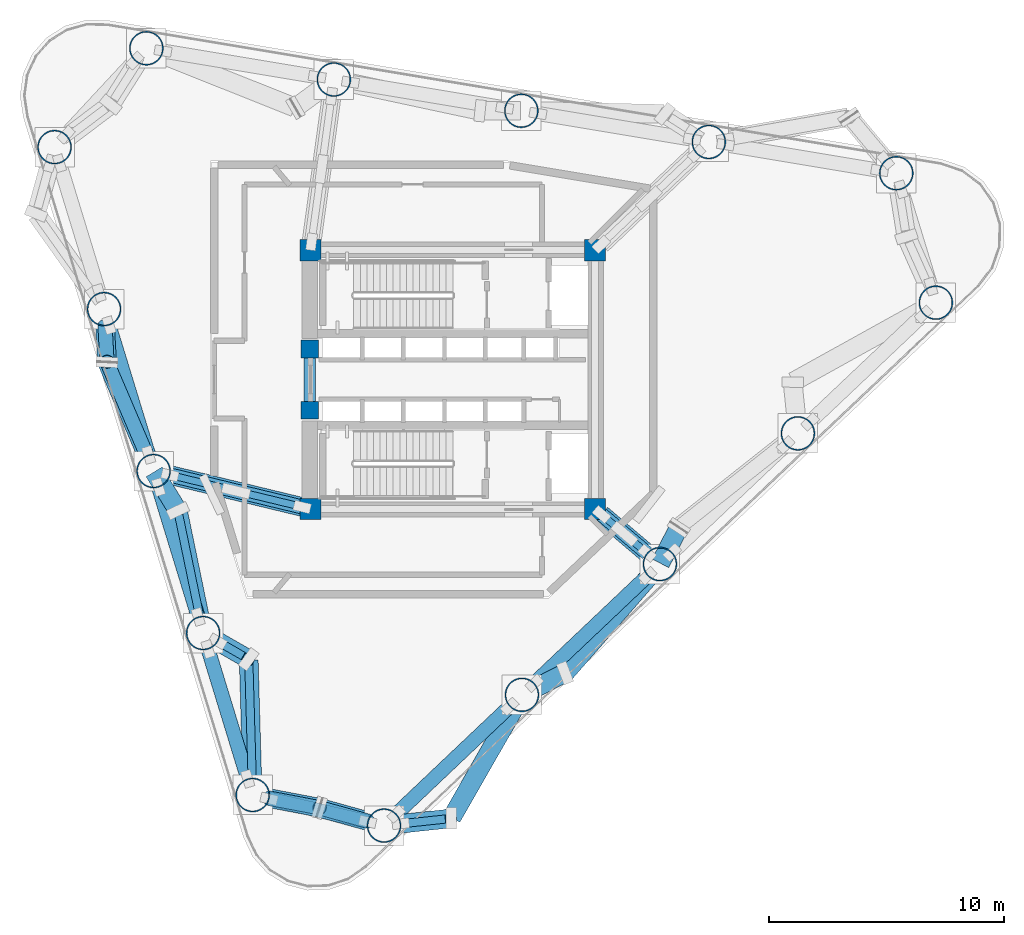
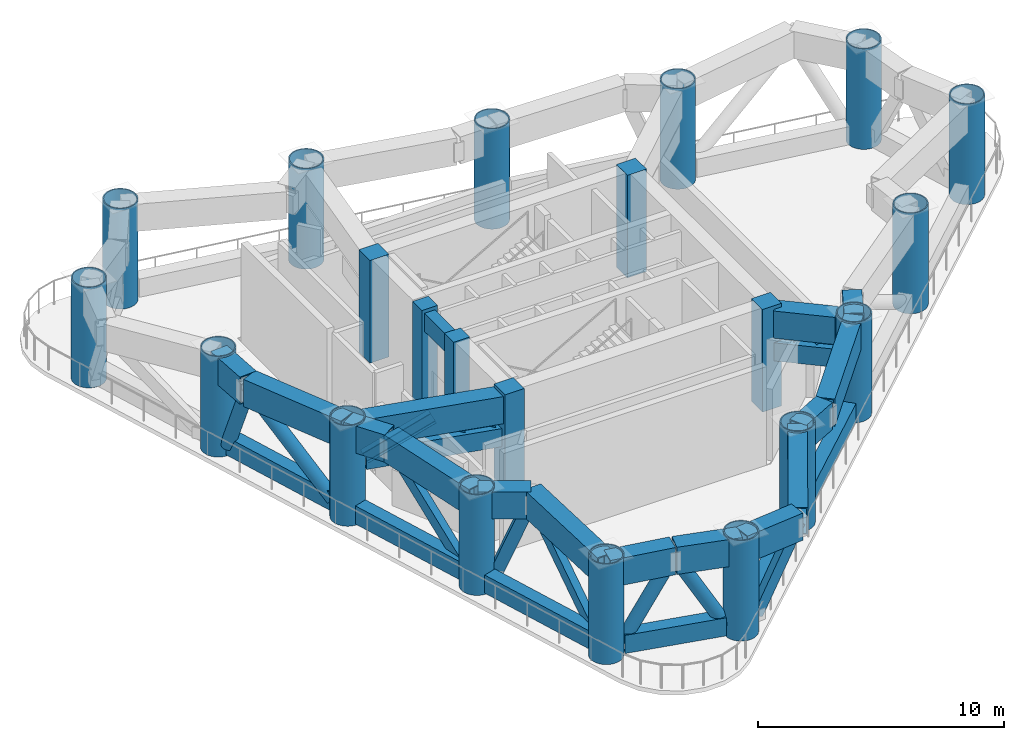
# One storey, part 1 of 8: 21 columns, 20 members, 16 beams.
"""IFC4 building model written with IfcOpenShell, lengths in metres."""

from ifc_helpers import new_model, si_unit, direction, frame, origin, origin_2d, place, context, subcontext, project, spatial, rectangle, hollow_rectangle, hollow_circle, i_section, extrude, source, transform, mapped, material, material_profile, profile_set, type_object, element, save


model = new_model("IFC4")

# Units and contexts
model_context = context("Model", 3, precision=1e-05, world=origin(), true_north=direction((0.0, 1.0)))
body_context = subcontext(model_context, "Body", "Model", "MODEL_VIEW")
ifc_project = project(units=[si_unit("LENGTHUNIT", "METRE"), si_unit("AREAUNIT", "SQUARE_METRE"), si_unit("VOLUMEUNIT", "CUBIC_METRE"), si_unit("PLANEANGLEUNIT", "RADIAN"), si_unit("MASSUNIT", "GRAM", prefix="KILO")], contexts=[model_context])

# Site, building, storey
site_placement = place(None, origin())
site = spatial("IfcSite", under=ifc_project, at=site_placement, CompositionType="ELEMENT")
building_placement = place(site_placement, origin())
building = spatial("IfcBuilding", under=site, at=building_placement, Name="Yunling Apex Tower", CompositionType="ELEMENT")
storey_placement = place(building_placement, frame((0.0, 0.0, 119.89990234375)))
storey = spatial("IfcBuildingStorey", under=building, at=storey_placement, Name="RF3", CompositionType="ELEMENT", Elevation=119.89990234375)

# Columns
ifc_material_1 = material(Name="Concrete C60", Category="concrete")
ifc_material_profile_1 = material_profile(ifc_material_1, rectangle(XDim=0.89990234375, YDim=0.89990234375, at=origin_2d()))
ifc_profile_set_1 = profile_set([ifc_material_profile_1], Name="Concrete C60")
column_type_1 = type_object("IfcColumnType", Name="PC-SRC-3", PredefinedType="COLUMN", material=ifc_profile_set_1)
shared_shape_1 = source(origin(), body_context, "Body", "SweptSolid", [
    extrude(rectangle(XDim=0.89990234375, YDim=0.89990234375, at=origin_2d()), origin(), (0.0, 0.0, 1.0), 5.10009765625),
])
for number, where, z_axis, x_axis, name in (
    (1, (-6.050048828125, -5.5, 0.0), (0.0, 0.0, 1.0), (1.0, 0.0, 0.0), "RF3 Core Spine Column CC-SW"),
    (2, (6.050048828125, -5.5, 0.0), (0.0, 0.0, 1.0), (1.0, 0.0, 0.0), "RF3 Core Spine Column CC-SE"),
    (3, (6.050048828125, 5.5, 0.0), (0.0, 0.0, 1.0), (1.0, 0.0, 0.0), "RF3 Core Spine Column CC-NE"),
    (4, (-6.050048828125, 5.5, 0.0), (0.0, 0.0, 1.0), (1.0, 0.0, 0.0), "RF3 Core Spine Column CC-NW"),
):
    element("IfcColumn", number, at=place(storey_placement, frame(where, z_axis=z_axis, x_axis=x_axis)), inside=storey, type_object=column_type_1, Name=name, PredefinedType="COLUMN", context=body_context, shape_type="MappedRepresentation", body=[
        mapped(shared_shape_1, transform((0.0, 0.0, 0.0), scale=1.0)),
    ])
ifc_material_2 = material(Name="Concrete C50", Category="concrete")
ifc_material_profile_2 = material_profile(ifc_material_2, rectangle(XDim=0.75, YDim=0.75, at=origin_2d()))
ifc_profile_set_2 = profile_set([ifc_material_profile_2], Name="Concrete C50")
column_type_2 = type_object("IfcColumnType", Name="PC-SRC-4", PredefinedType="COLUMN", material=ifc_profile_set_2)
shared_shape_2 = source(origin(), body_context, "Body", "SweptSolid", [
    extrude(rectangle(XDim=0.75, YDim=0.75, at=origin_2d()), origin(), (0.0, 0.0, 1.0), 5.10009765625),
])
for number, where, z_axis, x_axis, name in (
    (5, (-6.074951171875, -1.300048828125, 0.0), (0.0, 0.0, 1.0), (1.0, 0.0, 0.0), "RF3 Core West Portal Jamb Column S"),
    (6, (-6.074951171875, 1.300048828125, 0.0), (0.0, 0.0, 1.0), (1.0, 0.0, 0.0), "RF3 Core West Portal Jamb Column N"),
):
    element("IfcColumn", number, at=place(storey_placement, frame(where, z_axis=z_axis, x_axis=x_axis)), inside=storey, type_object=column_type_2, Name=name, PredefinedType="COLUMN", context=body_context, shape_type="MappedRepresentation", body=[
        mapped(shared_shape_2, transform((0.0, 0.0, 0.0), scale=1.0)),
    ])
ifc_material_3 = material(Name="Steel Q390GJC", Category="steel")
ifc_material_profile_3 = material_profile(ifc_material_3, hollow_circle(Radius=0.72509765625, WallThickness=0.050048828125, at=origin_2d()))
ifc_profile_set_3 = profile_set([ifc_material_profile_3], Name="Steel Q390GJC")
column_type_3 = type_object("IfcColumnType", Name="MC-CFST-2", PredefinedType="COLUMN", material=ifc_profile_set_3)
shared_shape_3 = source(origin(), body_context, "Body", "SweptSolid", [
    extrude(hollow_circle(Radius=0.72509765625, WallThickness=0.050048828125, at=origin_2d()), origin(), (0.0, 0.0, 1.0), 5.0),
])
for number, where, z_axis, x_axis, name in (
    (7, (-2.92138671875, -18.960205078125, 0.0), (0.0, 0.0, 1.0), (1.0, 0.0, 0.0), "RF3 Lower-Block CFST Column P01"),
    (8, (2.943359375, -13.40234375, 0.0), (0.0, 0.0, 1.0), (1.0, 0.0, 0.0), "RF3 Lower-Block CFST Column P02"),
    (9, (8.80810546875, -7.8447265625, 0.0), (0.0, 0.0, 1.0), (1.0, 0.0, 0.0), "RF3 Lower-Block CFST Column P03"),
    (10, (14.6728515625, -2.287109375, 0.0), (0.0, 0.0, 1.0), (1.0, 0.0, 0.0), "RF3 Lower-Block CFST Column P04"),
    (11, (20.53759765625, 3.2705078125, 0.0), (0.0, 0.0, 1.0), (1.0, 0.0, 0.0), "RF3 Lower-Block CFST Column P05"),
    (12, (18.855224609375, 8.77294921875, 0.0), (0.0, 0.0, 1.0), (1.0, 0.0, 0.0), "RF3 Lower-Block CFST Column P06"),
    (13, (10.88525390625, 10.10107421875, 0.0), (0.0, 0.0, 1.0), (1.0, 0.0, 0.0), "RF3 Lower-Block CFST Column P07"),
    (14, (2.915283203125, 11.428955078125, 0.0), (0.0, 0.0, 1.0), (1.0, 0.0, 0.0), "RF3 Lower-Block CFST Column P08"),
    (15, (-5.054443359375, 12.757080078125, 0.0), (0.0, 0.0, 1.0), (1.0, 0.0, 0.0), "RF3 Lower-Block CFST Column P09"),
    (16, (-13.0244140625, 14.0849609375, 0.0), (0.0, 0.0, 1.0), (1.0, 0.0, 0.0), "RF3 Lower-Block CFST Column P10"),
    (17, (-16.927490234375, 9.88330078125, 0.0), (0.0, 0.0, 1.0), (1.0, 0.0, 0.0), "RF3 Lower-Block CFST Column P11"),
    (18, (-14.822509765625, 2.99755859375, 0.0), (0.0, 0.0, 1.0), (1.0, 0.0, 0.0), "RF3 Lower-Block CFST Column P12"),
    (19, (-12.71728515625, -3.887939453125, 0.0), (0.0, 0.0, 1.0), (1.0, 0.0, 0.0), "RF3 Lower-Block CFST Column P13"),
    (20, (-10.612060546875, -10.773681640625, 0.0), (0.0, 0.0, 1.0), (1.0, 0.0, 0.0), "RF3 Lower-Block CFST Column P14"),
    (21, (-8.5068359375, -17.6591796875, 0.0), (0.0, 0.0, 1.0), (1.0, 0.0, 0.0), "RF3 Lower-Block CFST Column P15"),
):
    element("IfcColumn", number, at=place(storey_placement, frame(where, z_axis=z_axis, x_axis=x_axis)), inside=storey, type_object=column_type_3, Name=name, PredefinedType="COLUMN", context=body_context, shape_type="MappedRepresentation", body=[
        mapped(shared_shape_3, transform((0.0, 0.0, 0.0), scale=1.0)),
    ])

# Beam
ifc_material_profile_4 = material_profile(ifc_material_2, rectangle(XDim=0.5, YDim=0.89990234375, at=origin_2d()))
ifc_profile_set_4 = profile_set([ifc_material_profile_4], Name="Concrete C50")
beam_type_1 = type_object("IfcBeamType", Name="BC-CPL-2", PredefinedType="BEAM", material=ifc_profile_set_4)
shared_shape_4 = source(origin(), body_context, "Body", "SweptSolid", [
    extrude(rectangle(XDim=0.5, YDim=0.89990234375, at=origin_2d()), origin(), (0.0, 0.0, 1.0), 2.5),
])
beam_1_placement = place(storey_placement, frame((-6.074951171875, -1.25, 4.47021484375), z_axis=(0.0, 1.0, 0.0), x_axis=(-1.0, 0.0, 0.0)))
element("IfcBeam", 22, at=beam_1_placement, inside=storey, type_object=beam_type_1, Name="RF3 Core West Portal Coupling Beam", PredefinedType="BEAM", context=body_context, shape_type="MappedRepresentation", body=[
    mapped(shared_shape_4, transform((0.0, 0.0, 0.0), scale=1.0)),
])

# Members
ifc_material_profile_5 = material_profile(ifc_material_3, hollow_rectangle(XDim=0.60009765625, YDim=0.89990234375, WallThickness=0.0419921875, at=origin_2d()))
ifc_profile_set_5 = profile_set([ifc_material_profile_5], Name="Steel Q390GJC")
member_type_1 = type_object("IfcMemberType", Name="BT-CHD-1", PredefinedType="CHORD", material=ifc_profile_set_5)
shared_shape_5 = source(origin(), body_context, "Body", "SweptSolid", [
    extrude(hollow_rectangle(XDim=0.60009765625, YDim=0.89990234375, WallThickness=0.0419921875, at=origin_2d()), origin(), (0.0, 0.0, 1.0), 6.645751953125),
])
for number, where, z_axis, x_axis, name in (
    (23, (-2.40087890625, -18.466796875, 0.550048828125), (0.725844556289, 0.68785876465, 0.0), (-0.68785876465, 0.725844556289, 0.0), "RF3 Belt-Truss Bottom Chord 1"),
    (24, (3.463623046875, -12.9091796875, 0.550048828125), (0.725861937572, 0.687840423052, 0.0), (-0.687840423052, 0.725861937572, 0.0), "RF3 Belt-Truss Bottom Chord 2"),
):
    element("IfcMember", number, at=place(storey_placement, frame(where, z_axis=z_axis, x_axis=x_axis)), inside=storey, type_object=member_type_1, Name=name, PredefinedType="CHORD", context=body_context, shape_type="MappedRepresentation", body=[
        mapped(shared_shape_5, transform((0.0, 0.0, 0.0), scale=1.0)),
    ])
shared_shape_6 = source(origin(), body_context, "Body", "SweptSolid", [
    extrude(hollow_rectangle(XDim=0.60009765625, YDim=0.89990234375, WallThickness=0.0419921875, at=origin_2d()), origin(), (0.0, 0.0, 1.0), 4.301025390625),
])
member_1_placement = place(storey_placement, frame((-7.80859375, -17.822021484375, 0.550048828125), z_axis=(0.973935749872, -0.22682406204, 0.0), x_axis=(0.22682406204, 0.973935749872, 0.0)))
element("IfcMember", 25, at=member_1_placement, inside=storey, type_object=member_type_1, Name="RF3 Belt-Truss Bottom Chord 15", PredefinedType="CHORD", context=body_context, shape_type="MappedRepresentation", body=[
    mapped(shared_shape_6, transform((0.0, 0.0, 0.0), scale=1.0)),
])
shared_shape_7 = source(origin(), body_context, "Body", "SweptSolid", [
    extrude(hollow_rectangle(XDim=0.60009765625, YDim=0.89990234375, WallThickness=0.0419921875, at=origin_2d()), origin(), (0.0, 0.0, 1.0), 5.76611328125),
])
for number, where, z_axis, x_axis, name in (
    (26, (-12.5078125, -4.57373046875, 0.550048828125), (0.292401396878, -0.956295677656, 0.0), (0.956295677656, 0.292401396878, 0.0), "RF3 Belt-Truss Bottom Chord 13"),
    (27, (-10.402587890625, -11.45947265625, 0.550048828125), (0.292401396878, -0.956295677656, 0.0), (0.956295677656, 0.292401396878, 0.0), "RF3 Belt-Truss Bottom Chord 14"),
):
    element("IfcMember", number, at=place(storey_placement, frame(where, z_axis=z_axis, x_axis=x_axis)), inside=storey, type_object=member_type_1, Name=name, PredefinedType="CHORD", context=body_context, shape_type="MappedRepresentation", body=[
        mapped(shared_shape_7, transform((0.0, 0.0, 0.0), scale=1.0)),
    ])
shared_shape_8 = source(origin(), body_context, "Body", "SweptSolid", [
    extrude(hollow_rectangle(XDim=0.60009765625, YDim=0.89990234375, WallThickness=0.0419921875, at=origin_2d()), origin(), (0.0, 0.0, 1.0), 5.766357421875),
])
member_2_placement = place(storey_placement, frame((-14.61279296875, 2.31201171875, 0.550048828125), z_axis=(0.292350838462, -0.95631113517, 0.0), x_axis=(0.95631113517, 0.292350838462, 0.0)))
element("IfcMember", 28, at=member_2_placement, inside=storey, type_object=member_type_1, Name="RF3 Belt-Truss Bottom Chord 12", PredefinedType="CHORD", context=body_context, shape_type="MappedRepresentation", body=[
    mapped(shared_shape_8, transform((0.0, 0.0, 0.0), scale=1.0)),
])

# Beams
ifc_material_profile_6 = material_profile(ifc_material_3, hollow_rectangle(XDim=0.800048828125, YDim=1.35009765625, WallThickness=0.050048828125, at=origin_2d()))
ifc_profile_set_6 = profile_set([ifc_material_profile_6], Name="Steel Q390GJC")
beam_type_2 = type_object("IfcBeamType", Name="BTRNG-1", PredefinedType="USERDEFINED", material=ifc_profile_set_6)
shared_shape_9 = source(origin(), body_context, "Body", "SweptSolid", [
    extrude(hollow_rectangle(XDim=0.800048828125, YDim=1.35009765625, WallThickness=0.050048828125, at=origin_2d()), origin(), (0.0, 0.0, 1.0), 1.896484375),
])
beam_2_placement = place(storey_placement, frame((-12.6962890625, -3.922119140625, 4.2451171875), z_axis=(0.522142394096, -0.85285832369, 0.0), x_axis=(0.85285832369, 0.522142394096, 0.0)))
element("IfcBeam", 29, at=beam_2_placement, inside=storey, type_object=beam_type_2, Name="RF3 Panel-Split Box Ring Transfer Girder 1", ObjectType="GIRDER", PredefinedType="USERDEFINED", context=body_context, shape_type="MappedRepresentation", body=[
    mapped(shared_shape_9, transform((0.0, 0.0, 0.0), scale=1.0)),
])
shared_shape_10 = source(origin(), body_context, "Body", "SweptSolid", [
    extrude(hollow_rectangle(XDim=0.800048828125, YDim=1.35009765625, WallThickness=0.050048828125, at=origin_2d()), origin(), (0.0, 0.0, 1.0), 5.229736328125),
])
beam_3_placement = place(storey_placement, frame((-11.677001953125, -5.61279296875, 4.2451171875), z_axis=(0.202091528728, -0.97936663922, 0.0), x_axis=(0.97936663922, 0.202091528728, 0.0)))
element("IfcBeam", 30, at=beam_3_placement, inside=storey, type_object=beam_type_2, Name="RF3 Panel-Split Box Ring Transfer Girder 2", ObjectType="GIRDER", PredefinedType="USERDEFINED", context=body_context, shape_type="MappedRepresentation", body=[
    mapped(shared_shape_10, transform((0.0, 0.0, 0.0), scale=1.0)),
])
shared_shape_11 = source(origin(), body_context, "Body", "SweptSolid", [
    extrude(hollow_rectangle(XDim=0.800048828125, YDim=1.35009765625, WallThickness=0.050048828125, at=origin_2d()), origin(), (0.0, 0.0, 1.0), 2.15576171875),
])
beam_4_placement = place(storey_placement, frame((-10.577392578125, -10.793701171875, 4.2451171875), z_axis=(0.867013943985, -0.498283875853, 0.0), x_axis=(0.498283875853, 0.867013943985, 0.0)))
element("IfcBeam", 31, at=beam_4_placement, inside=storey, type_object=beam_type_2, Name="RF3 Panel-Split Box Ring Transfer Girder 3", ObjectType="GIRDER", PredefinedType="USERDEFINED", context=body_context, shape_type="MappedRepresentation", body=[
    mapped(shared_shape_11, transform((0.0, 0.0, 0.0), scale=1.0)),
])
shared_shape_12 = source(origin(), body_context, "Body", "SweptSolid", [
    extrude(hollow_rectangle(XDim=0.800048828125, YDim=1.35009765625, WallThickness=0.050048828125, at=origin_2d()), origin(), (0.0, 0.0, 1.0), 5.694091796875),
])
beam_5_placement = place(storey_placement, frame((-8.67236328125, -11.927734375, 4.2451171875), z_axis=(0.028855992312, -0.999583579151, 0.0), x_axis=(0.999583579151, 0.028855992312, 0.0)))
element("IfcBeam", 32, at=beam_5_placement, inside=storey, type_object=beam_type_2, Name="RF3 Panel-Split Box Ring Transfer Girder 4", ObjectType="GIRDER", PredefinedType="USERDEFINED", context=body_context, shape_type="MappedRepresentation", body=[
    mapped(shared_shape_12, transform((0.0, 0.0, 0.0), scale=1.0)),
])
shared_shape_13 = source(origin(), body_context, "Body", "SweptSolid", [
    extrude(hollow_rectangle(XDim=0.800048828125, YDim=1.35009765625, WallThickness=0.050048828125, at=origin_2d()), origin(), (0.0, 0.0, 1.0), 2.816162109375),
])
beam_6_placement = place(storey_placement, frame((-8.467529296875, -17.666748046875, 4.2451171875), z_axis=(0.982295289546, -0.187339168715, 0.0), x_axis=(0.187339168715, 0.982295289546, 0.0)))
element("IfcBeam", 33, at=beam_6_placement, inside=storey, type_object=beam_type_2, Name="RF3 Panel-Split Box Ring Transfer Girder 5", ObjectType="GIRDER", PredefinedType="USERDEFINED", context=body_context, shape_type="MappedRepresentation", body=[
    mapped(shared_shape_13, transform((0.0, 0.0, 0.0), scale=1.0)),
])
shared_shape_14 = source(origin(), body_context, "Body", "SweptSolid", [
    extrude(hollow_rectangle(XDim=0.800048828125, YDim=1.35009765625, WallThickness=0.050048828125, at=origin_2d()), origin(), (0.0, 0.0, 1.0), 2.763427734375),
])
beam_7_placement = place(storey_placement, frame((-5.623291015625, -18.212646484375, 4.2451171875), z_axis=(0.963797112406, -0.26663669312, 0.0), x_axis=(0.26663669312, 0.963797112406, 0.0)))
element("IfcBeam", 34, at=beam_7_placement, inside=storey, type_object=beam_type_2, Name="RF3 Panel-Split Box Ring Transfer Girder 6", ObjectType="GIRDER", PredefinedType="USERDEFINED", context=body_context, shape_type="MappedRepresentation", body=[
    mapped(shared_shape_14, transform((0.0, 0.0, 0.0), scale=1.0)),
])
shared_shape_15 = source(origin(), body_context, "Body", "SweptSolid", [
    extrude(hollow_rectangle(XDim=0.800048828125, YDim=1.35009765625, WallThickness=0.050048828125, at=origin_2d()), origin(), (0.0, 0.0, 1.0), 2.793701171875),
])
beam_8_placement = place(storey_placement, frame((-2.881591796875, -18.955810546875, 4.2451171875), z_axis=(0.994328313015, 0.106354153361, 0.0), x_axis=(-0.106354153361, 0.994328313015, 0.0)))
element("IfcBeam", 35, at=beam_8_placement, inside=storey, type_object=beam_type_2, Name="RF3 Panel-Split Box Ring Transfer Girder 7", ObjectType="GIRDER", PredefinedType="USERDEFINED", context=body_context, shape_type="MappedRepresentation", body=[
    mapped(shared_shape_15, transform((0.0, 0.0, 0.0), scale=1.0)),
])
shared_shape_16 = source(origin(), body_context, "Body", "SweptSolid", [
    extrude(hollow_rectangle(XDim=0.800048828125, YDim=1.35009765625, WallThickness=0.050048828125, at=origin_2d()), origin(), (0.0, 0.0, 1.0), 5.972412109375),
])
beam_9_placement = place(storey_placement, frame((-0.044189453125, -18.619873046875, 4.2451171875), z_axis=(0.49688275177, 0.867817683038, 0.0), x_axis=(-0.867817683038, 0.49688275177, 0.0)))
element("IfcBeam", 36, at=beam_9_placement, inside=storey, type_object=beam_type_2, Name="RF3 Panel-Split Box Ring Transfer Girder 8", ObjectType="GIRDER", PredefinedType="USERDEFINED", context=body_context, shape_type="MappedRepresentation", body=[
    mapped(shared_shape_16, transform((0.0, 0.0, 0.0), scale=1.0)),
])
shared_shape_17 = source(origin(), body_context, "Body", "SweptSolid", [
    extrude(hollow_rectangle(XDim=0.800048828125, YDim=1.35009765625, WallThickness=0.050048828125, at=origin_2d()), origin(), (0.0, 0.0, 1.0), 1.972900390625),
])
beam_10_placement = place(storey_placement, frame((2.97900390625, -13.38427734375, 4.2451171875), z_axis=(0.891362249252, 0.453291672777, 0.0), x_axis=(-0.453291672777, 0.891362249252, 0.0)))
element("IfcBeam", 37, at=beam_10_placement, inside=storey, type_object=beam_type_2, Name="RF3 Panel-Split Box Ring Transfer Girder 9", ObjectType="GIRDER", PredefinedType="USERDEFINED", context=body_context, shape_type="MappedRepresentation", body=[
    mapped(shared_shape_17, transform((0.0, 0.0, 0.0), scale=1.0)),
])
shared_shape_18 = source(origin(), body_context, "Body", "SweptSolid", [
    extrude(hollow_rectangle(XDim=0.800048828125, YDim=1.35009765625, WallThickness=0.050048828125, at=origin_2d()), origin(), (0.0, 0.0, 1.0), 6.059326171875),
])
beam_11_placement = place(storey_placement, frame((4.799560546875, -12.44189453125, 4.2451171875), z_axis=(0.657208572448, 0.753708758275, 0.0), x_axis=(-0.753708758275, 0.657208572448, 0.0)))
element("IfcBeam", 38, at=beam_11_placement, inside=storey, type_object=beam_type_2, Name="RF3 Panel-Split Box Ring Transfer Girder 10", ObjectType="GIRDER", PredefinedType="USERDEFINED", context=body_context, shape_type="MappedRepresentation", body=[
    mapped(shared_shape_18, transform((0.0, 0.0, 0.0), scale=1.0)),
])
shared_shape_19 = source(origin(), body_context, "Body", "SweptSolid", [
    extrude(hollow_rectangle(XDim=0.800048828125, YDim=1.35009765625, WallThickness=0.050048828125, at=origin_2d()), origin(), (0.0, 0.0, 1.0), 1.67041015625),
])
beam_12_placement = place(storey_placement, frame((8.826416015625, -7.809326171875, 4.2451171875), z_axis=(0.458460497606, 0.88871478672, 0.0), x_axis=(-0.88871478672, 0.458460497606, 0.0)))
element("IfcBeam", 39, at=beam_12_placement, inside=storey, type_object=beam_type_2, Name="RF3 Panel-Split Box Ring Transfer Girder 11", ObjectType="GIRDER", PredefinedType="USERDEFINED", context=body_context, shape_type="MappedRepresentation", body=[
    mapped(shared_shape_19, transform((0.0, 0.0, 0.0), scale=1.0)),
])
shared_shape_20 = source(origin(), body_context, "Body", "SweptSolid", [
    extrude(hollow_rectangle(XDim=0.800048828125, YDim=1.35009765625, WallThickness=0.050048828125, at=origin_2d()), origin(), (0.0, 0.0, 1.0), 2.1806640625),
])
beam_13_placement = place(storey_placement, frame((-14.8203125, 2.957763671875, 4.2451171875), z_axis=(0.055643641414, -0.998450692408, 0.0), x_axis=(0.998450692408, 0.055643641414, 0.0)))
element("IfcBeam", 40, at=beam_13_placement, inside=storey, type_object=beam_type_2, Name="RF3 Panel-Split Box Ring Transfer Girder 29", ObjectType="GIRDER", PredefinedType="USERDEFINED", context=body_context, shape_type="MappedRepresentation", body=[
    mapped(shared_shape_20, transform((0.0, 0.0, 0.0), scale=1.0)),
])
shared_shape_21 = source(origin(), body_context, "Body", "SweptSolid", [
    extrude(hollow_rectangle(XDim=0.800048828125, YDim=1.35009765625, WallThickness=0.050048828125, at=origin_2d()), origin(), (0.0, 0.0, 1.0), 4.954345703125),
])
beam_14_placement = place(storey_placement, frame((-14.68115234375, 0.703857421875, 4.2451171875), z_axis=(0.393241189359, -0.919435352263, 0.0), x_axis=(0.919435352263, 0.393241189359, 0.0)))
element("IfcBeam", 41, at=beam_14_placement, inside=storey, type_object=beam_type_2, Name="RF3 Panel-Split Box Ring Transfer Girder 30", ObjectType="GIRDER", PredefinedType="USERDEFINED", context=body_context, shape_type="MappedRepresentation", body=[
    mapped(shared_shape_21, transform((0.0, 0.0, 0.0), scale=1.0)),
])

# Members
ifc_material_4 = material(Name="Steel Q355B", Category="steel")
ifc_material_profile_7 = material_profile(ifc_material_4, hollow_rectangle(XDim=0.35009765625, YDim=0.550048828125, WallThickness=0.02587890625, at=origin_2d()))
ifc_profile_set_7 = profile_set([ifc_material_profile_7], Name="Steel Q355B")
member_type_2 = type_object("IfcMemberType", Name="BR-BLT-1", PredefinedType="BRACE", material=ifc_profile_set_7)
shared_shape_22 = source(origin(), body_context, "Body", "SweptSolid", [
    extrude(hollow_rectangle(XDim=0.35009765625, YDim=0.550048828125, WallThickness=0.02587890625, at=origin_2d()), origin(), (0.0, 0.0, 1.0), 4.269287109375),
])
member_3_placement = place(storey_placement, frame((-2.21044921875, -18.884033203125, 0.550048828125), z_axis=(0.498079583974, 0.053296231029, 0.865491906251), x_axis=(-0.106396074385, 0.994323828215, 0.0)))
element("IfcMember", 42, at=member_3_placement, inside=storey, type_object=member_type_2, Name="RF3 Belt-Truss Diagonal 1-1", PredefinedType="BRACE", context=body_context, shape_type="MappedRepresentation", body=[
    mapped(shared_shape_22, transform((0.0, 0.0, 0.0), scale=1.0)),
])
ifc_material_profile_8 = material_profile(ifc_material_4, hollow_circle(Radius=0.304931640625, WallThickness=0.02392578125, at=origin_2d()))
ifc_profile_set_8 = profile_set([ifc_material_profile_8], Name="Steel Q355B")
member_type_3 = type_object("IfcMemberType", Name="BR-PER-1", PredefinedType="BRACE", material=ifc_profile_set_8)
shared_shape_23 = source(origin(), body_context, "Body", "SweptSolid", [
    extrude(hollow_circle(Radius=0.304931640625, WallThickness=0.02392578125, at=origin_2d()), origin(), (0.0, 0.0, 1.0), 3.99755859375),
])
member_4_placement = place(storey_placement, frame((-14.78271484375, 2.28369140625, 0.550048828125), z_axis=(0.021191901527, -0.381026725146, 0.924321122789), x_axis=(0.998456904375, 0.055532063763, 0.0)))
element("IfcMember", 43, at=member_4_placement, inside=storey, type_object=member_type_3, Name="RF3 Belt-Truss Diagonal 12-1", PredefinedType="BRACE", context=body_context, shape_type="MappedRepresentation", body=[
    mapped(shared_shape_23, transform((0.0, 0.0, 0.0), scale=1.0)),
])
shared_shape_24 = source(origin(), body_context, "Body", "SweptSolid", [
    extrude(hollow_circle(Radius=0.304931640625, WallThickness=0.02392578125, at=origin_2d()), origin(), (0.0, 0.0, 1.0), 5.6689453125),
])
member_5_placement = place(storey_placement, frame((-12.998291015625, -3.230712890625, 0.550048828125), z_axis=(-0.298233193607, 0.69728427981, 0.65180640942), x_axis=(-0.919432634186, -0.393247544422, 0.0)))
element("IfcMember", 44, at=member_5_placement, inside=storey, type_object=member_type_3, Name="RF3 Belt-Truss Diagonal 12-2", PredefinedType="BRACE", context=body_context, shape_type="MappedRepresentation", body=[
    mapped(shared_shape_24, transform((0.0, 0.0, 0.0), scale=1.0)),
])
shared_shape_25 = source(origin(), body_context, "Body", "SweptSolid", [
    extrude(hollow_rectangle(XDim=0.35009765625, YDim=0.550048828125, WallThickness=0.02587890625, at=origin_2d()), origin(), (0.0, 0.0, 1.0), 5.880615234375),
])
member_6_placement = place(storey_placement, frame((-10.756591796875, -10.073486328125, 0.550048828125), z_axis=(-0.15722373968, 0.761872946097, 0.628355241632), x_axis=(-0.979363621177, -0.202106154073, 0.0)))
element("IfcMember", 45, at=member_6_placement, inside=storey, type_object=member_type_2, Name="RF3 Belt-Truss Diagonal 13-1", PredefinedType="BRACE", context=body_context, shape_type="MappedRepresentation", body=[
    mapped(shared_shape_25, transform((0.0, 0.0, 0.0), scale=1.0)),
])
shared_shape_26 = source(origin(), body_context, "Body", "SweptSolid", [
    extrude(hollow_rectangle(XDim=0.35009765625, YDim=0.550048828125, WallThickness=0.02587890625, at=origin_2d()), origin(), (0.0, 0.0, 1.0), 3.98828125),
])
member_7_placement = place(storey_placement, frame((-9.9921875, -11.1298828125, 0.550048828125), z_axis=(0.326276808375, -0.187502038284, 0.92649146243), x_axis=(0.498257170587, 0.867029291292, 0.0)))
element("IfcMember", 46, at=member_7_placement, inside=storey, type_object=member_type_2, Name="RF3 Belt-Truss Diagonal 14-1", PredefinedType="BRACE", context=body_context, shape_type="MappedRepresentation", body=[
    mapped(shared_shape_26, transform((0.0, 0.0, 0.0), scale=1.0)),
])
shared_shape_27 = source(origin(), body_context, "Body", "SweptSolid", [
    extrude(hollow_rectangle(XDim=0.35009765625, YDim=0.550048828125, WallThickness=0.02587890625, at=origin_2d()), origin(), (0.0, 0.0, 1.0), 6.24853515625),
])
member_8_placement = place(storey_placement, frame((-8.527587890625, -16.944580078125, 0.550048828125), z_axis=(-0.023247501749, 0.806082703488, 0.591346115908), x_axis=(-0.999584383709, -0.028828108589, 0.0)))
element("IfcMember", 47, at=member_8_placement, inside=storey, type_object=member_type_2, Name="RF3 Belt-Truss Diagonal 14-2", PredefinedType="BRACE", context=body_context, shape_type="MappedRepresentation", body=[
    mapped(shared_shape_27, transform((0.0, 0.0, 0.0), scale=1.0)),
])
shared_shape_28 = source(origin(), body_context, "Body", "SweptSolid", [
    extrude(hollow_circle(Radius=0.304931640625, WallThickness=0.02392578125, at=origin_2d()), origin(), (0.0, 0.0, 1.0), 4.254150390625),
])
member_9_placement = place(storey_placement, frame((-3.610595703125, -18.769287109375, 0.550048828125), z_axis=(-0.477639875338, 0.132107051908, 0.868566564129), x_axis=(-0.26657461074, -0.963814285487, 0.0)))
element("IfcMember", 48, at=member_9_placement, inside=storey, type_object=member_type_3, Name="RF3 Belt-Truss Diagonal 15-1", PredefinedType="BRACE", context=body_context, shape_type="MappedRepresentation", body=[
    mapped(shared_shape_28, transform((0.0, 0.0, 0.0), scale=1.0)),
])
shared_shape_29 = source(origin(), body_context, "Body", "SweptSolid", [
    extrude(hollow_circle(Radius=0.304931640625, WallThickness=0.02392578125, at=origin_2d()), origin(), (0.0, 0.0, 1.0), 4.28076171875),
])
member_10_placement = place(storey_placement, frame((-7.8046875, -17.793212890625, 0.550048828125), z_axis=(0.49599391527, -0.094613534027, 0.863156020192), x_axis=(0.187376794239, 0.98228811302, 0.0)))
element("IfcMember", 49, at=member_10_placement, inside=storey, type_object=member_type_3, Name="RF3 Belt-Truss Diagonal 15-2", PredefinedType="BRACE", context=body_context, shape_type="MappedRepresentation", body=[
    mapped(shared_shape_29, transform((0.0, 0.0, 0.0), scale=1.0)),
])

# Beam
shared_shape_30 = source(origin(), body_context, "Body", "SweptSolid", [
    extrude(hollow_rectangle(XDim=0.800048828125, YDim=1.35009765625, WallThickness=0.050048828125, at=origin_2d()), origin(), (0.0, 0.0, 1.0), 5.784423828125),
])
beam_15_placement = place(storey_placement, frame((-6.39990234375, -5.415283203125, 4.2451171875), z_axis=(-0.971992838825, 0.235010470562, 0.0), x_axis=(-0.235010470562, -0.971992838825, 0.0)))
element("IfcBeam", 50, at=beam_15_placement, inside=storey, type_object=beam_type_2, Name="RF3 Radial Outrigger Top Girder 1", ObjectType="GIRDER", PredefinedType="USERDEFINED", context=body_context, shape_type="MappedRepresentation", body=[
    mapped(shared_shape_30, transform((0.0, 0.0, 0.0), scale=1.0)),
])

# Members
shared_shape_31 = source(origin(), body_context, "Body", "SweptSolid", [
    extrude(hollow_rectangle(XDim=0.60009765625, YDim=0.89990234375, WallThickness=0.0419921875, at=origin_2d()), origin(), (0.0, 0.0, 1.0), 5.784423828125),
])
member_11_placement = place(storey_placement, frame((-6.39990234375, -5.415283203125, 2.820068359375), z_axis=(-0.971992838825, 0.235010470562, 0.0), x_axis=(-0.235010470562, -0.971992838825, 0.0)))
element("IfcMember", 51, at=member_11_placement, inside=storey, type_object=member_type_1, Name="RF3 Radial Outrigger Lower Chord 1", PredefinedType="CHORD", context=body_context, shape_type="MappedRepresentation", body=[
    mapped(shared_shape_31, transform((0.0, 0.0, 0.0), scale=1.0)),
])
ifc_material_profile_9 = material_profile(ifc_material_4, i_section(OverallWidth=0.300048828125, OverallDepth=0.590087890625, WebThickness=0.011962890625, FlangeThickness=0.02001953125, FilletRadius=0.02392578125, at=origin_2d()))
ifc_profile_set_9 = profile_set([ifc_material_profile_9], Name="Steel Q355B")
member_type_4 = type_object("IfcMemberType", Name="BR-OUT-1", PredefinedType="BRACE", material=ifc_profile_set_9)
shared_shape_32 = source(origin(), body_context, "Body", "SweptSolid", [
    extrude(i_section(OverallWidth=0.300048828125, OverallDepth=0.590087890625, WebThickness=0.011962890625, FlangeThickness=0.02001953125, FilletRadius=0.02392578125, at=origin_2d()), origin(), (0.0, 0.0, 1.0), 3.224365234375),
])
member_12_placement = place(storey_placement, frame((-6.39990234375, -5.415283203125, 2.820068359375), z_axis=(-0.871907113521, 0.210802379856, 0.441973236789), x_axis=(-0.235000829587, -0.971995169789, 0.0)))
element("IfcMember", 52, at=member_12_placement, inside=storey, type_object=member_type_4, Name="RF3 Outrigger Inner Diagonal 1A", PredefinedType="BRACE", context=body_context, shape_type="MappedRepresentation", body=[
    mapped(shared_shape_32, transform((0.0, 0.0, 0.0), scale=1.0)),
])
shared_shape_33 = source(origin(), body_context, "Body", "SweptSolid", [
    extrude(i_section(OverallWidth=0.300048828125, OverallDepth=0.590087890625, WebThickness=0.011962890625, FlangeThickness=0.02001953125, FilletRadius=0.02392578125, at=origin_2d()), origin(), (0.0, 0.0, 1.0), 3.22412109375),
])
member_13_placement = place(storey_placement, frame((-9.211181640625, -4.735595703125, 4.2451171875), z_axis=(-0.871888955915, 0.210816297835, -0.442002417551), x_axis=(-0.235020112305, -0.971990507573, 0.0)))
element("IfcMember", 53, at=member_13_placement, inside=storey, type_object=member_type_4, Name="RF3 Outrigger Outer Diagonal 1B", PredefinedType="BRACE", context=body_context, shape_type="MappedRepresentation", body=[
    mapped(shared_shape_33, transform((0.0, 0.0, 0.0), scale=1.0)),
])

# Beam
shared_shape_34 = source(origin(), body_context, "Body", "SweptSolid", [
    extrude(hollow_rectangle(XDim=0.800048828125, YDim=1.35009765625, WallThickness=0.050048828125, at=origin_2d()), origin(), (0.0, 0.0, 1.0), 2.545166015625),
])
beam_16_placement = place(storey_placement, frame((6.32421875, -5.733154296875, 4.2451171875), z_axis=(0.761918016549, -0.647673479509, 0.0), x_axis=(0.647673479509, 0.761918016549, 0.0)))
element("IfcBeam", 54, at=beam_16_placement, inside=storey, type_object=beam_type_2, Name="RF3 Radial Outrigger Top Girder 2", ObjectType="GIRDER", PredefinedType="USERDEFINED", context=body_context, shape_type="MappedRepresentation", body=[
    mapped(shared_shape_34, transform((0.0, 0.0, 0.0), scale=1.0)),
])

# Members
shared_shape_35 = source(origin(), body_context, "Body", "SweptSolid", [
    extrude(hollow_rectangle(XDim=0.60009765625, YDim=0.89990234375, WallThickness=0.0419921875, at=origin_2d()), origin(), (0.0, 0.0, 1.0), 2.545166015625),
])
member_14_placement = place(storey_placement, frame((6.32421875, -5.733154296875, 2.820068359375), z_axis=(0.761918016549, -0.647673479509, 0.0), x_axis=(0.647673479509, 0.761918016549, 0.0)))
element("IfcMember", 55, at=member_14_placement, inside=storey, type_object=member_type_1, Name="RF3 Radial Outrigger Lower Chord 2", PredefinedType="CHORD", context=body_context, shape_type="MappedRepresentation", body=[
    mapped(shared_shape_35, transform((0.0, 0.0, 0.0), scale=1.0)),
])
shared_shape_36 = source(origin(), body_context, "Body", "SweptSolid", [
    extrude(i_section(OverallWidth=0.300048828125, OverallDepth=0.590087890625, WebThickness=0.011962890625, FlangeThickness=0.02001953125, FilletRadius=0.02392578125, at=origin_2d()), origin(), (0.0, 0.0, 1.0), 1.91064453125),
])
member_15_placement = place(storey_placement, frame((6.32421875, -5.733154296875, 2.820068359375), z_axis=(0.507517403348, -0.43149201186, 0.74581547919), x_axis=(0.647737499469, 0.761863591321, 0.0)))
element("IfcMember", 56, at=member_15_placement, inside=storey, type_object=member_type_4, Name="RF3 Outrigger Inner Diagonal 2A", PredefinedType="BRACE", context=body_context, shape_type="MappedRepresentation", body=[
    mapped(shared_shape_36, transform((0.0, 0.0, 0.0), scale=1.0)),
])
shared_shape_37 = source(origin(), body_context, "Body", "SweptSolid", [
    extrude(i_section(OverallWidth=0.300048828125, OverallDepth=0.590087890625, WebThickness=0.011962890625, FlangeThickness=0.02001953125, FilletRadius=0.02392578125, at=origin_2d()), origin(), (0.0, 0.0, 1.0), 1.910400390625),
])
member_16_placement = place(storey_placement, frame((7.2939453125, -6.5576171875, 4.2451171875), z_axis=(0.5074784833, -0.431311982155, -0.745946085878), x_axis=(0.6476094297, 0.761972457878, 0.0)))
element("IfcMember", 57, at=member_16_placement, inside=storey, type_object=member_type_4, Name="RF3 Outrigger Outer Diagonal 2B", PredefinedType="BRACE", context=body_context, shape_type="MappedRepresentation", body=[
    mapped(shared_shape_37, transform((0.0, 0.0, 0.0), scale=1.0)),
])

save(model, "model.ifc")
